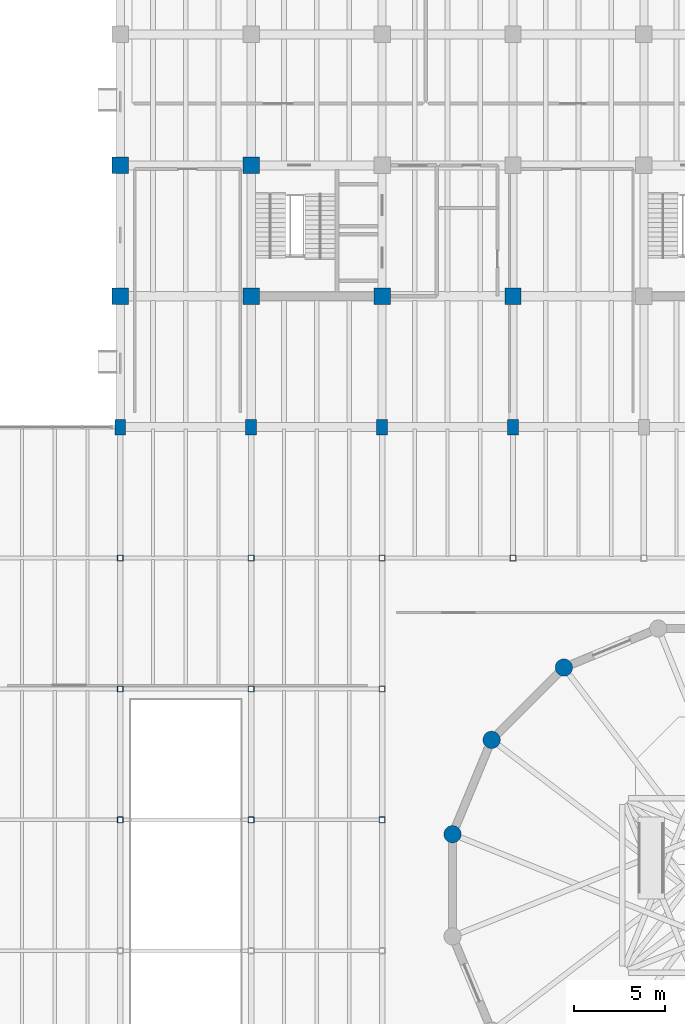
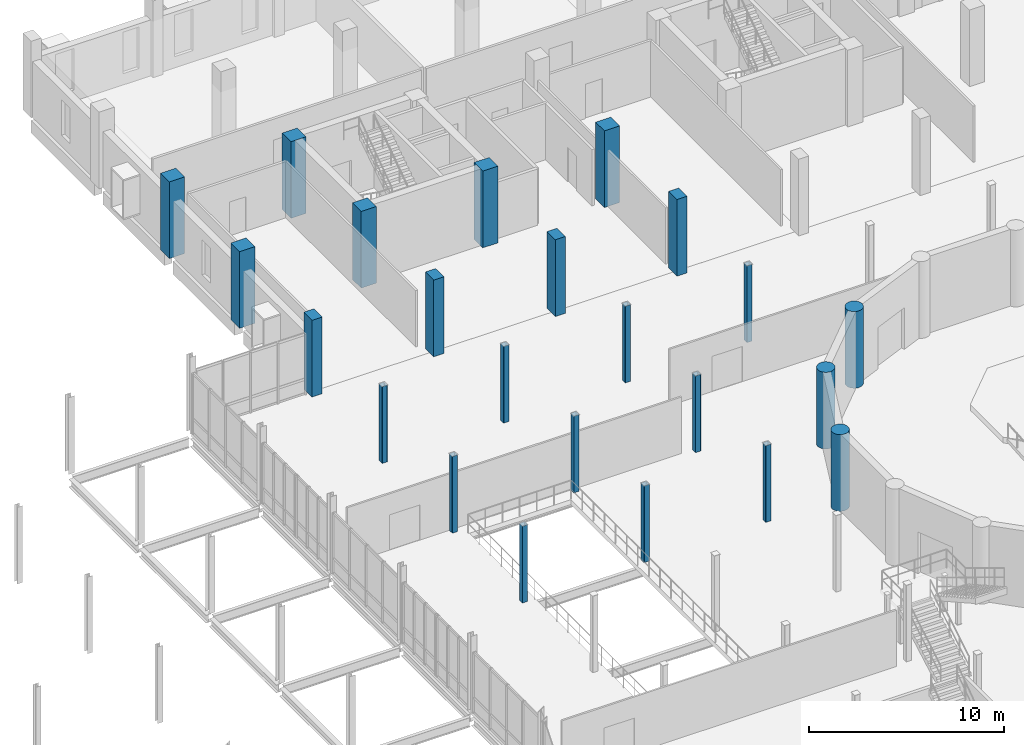
# One storey, part 11 of 77: 23 columns.
"""IFC4 building model written with IfcOpenShell, lengths in metres."""

from ifc_helpers import new_model, si_unit, direction, frame, origin, origin_2d, place, context, subcontext, project, spatial, rectangle, hollow_rectangle, circle, extrude, material, material_profile, profile_set, type_object, element, save


model = new_model("IFC4")

# Units and contexts
model_context = context("Model", 3, precision=1e-05, world=origin(), true_north=direction((0.0, 1.0)))
body_context = subcontext(model_context, "Body", "Model", "MODEL_VIEW")
ifc_project = project(units=[si_unit("LENGTHUNIT", "METRE"), si_unit("AREAUNIT", "SQUARE_METRE"), si_unit("VOLUMEUNIT", "CUBIC_METRE"), si_unit("PLANEANGLEUNIT", "RADIAN"), si_unit("MASSUNIT", "GRAM", prefix="KILO")], contexts=[model_context])

# Site, building, storey
site_placement = place(None, origin())
site = spatial("IfcSite", under=ifc_project, at=site_placement, CompositionType="ELEMENT")
building_placement = place(site_placement, origin())
building = spatial("IfcBuilding", under=site, at=building_placement, Name="Qiaolan Assembly House", CompositionType="ELEMENT")
storey_placement = place(building_placement, frame((0.0, 0.0, 5.39990234375)))
storey = spatial("IfcBuildingStorey", under=building, at=storey_placement, Name="L01", CompositionType="ELEMENT", Elevation=5.39990234375)

# Columns
ifc_material_1 = material(Name="Concrete C50/60", Category="concrete")
ifc_material_profile_1 = material_profile(ifc_material_1, circle(Radius=0.47509765625, at=origin_2d()), Name="CIRC D950")
ifc_profile_set_1 = profile_set([ifc_material_profile_1], Name="Concrete C50/60")
column_type_1 = type_object("IfcColumnType", Name="COL-DRUM-D950", PredefinedType="COLUMN", material=ifc_profile_set_1)
for number, where, z_axis, x_axis, name in (
    (1, (60.39990234375, 73.173095703125, 0.0), (0.0, 0.0, 1.0), (1.0, 0.0, 0.0), "DC-01 chamber drum pier 6 L01"),
    (2, (56.4267578125, 69.2001953125, 0.0), (0.0, 0.0, 1.0), (1.0, 0.0, 0.0), "DC-01 chamber drum pier 7 L01"),
    (3, (54.276611328125, 64.00927734375, 0.0), (0.0, 0.0, 1.0), (1.0, 0.0, 0.0), "DC-01 chamber drum pier 8 L01"),
):
    element("IfcColumn", number, at=place(storey_placement, frame(where, z_axis=z_axis, x_axis=x_axis)), inside=storey, type_object=column_type_1, Name=name, PredefinedType="COLUMN", context=body_context, shape_type="SweptSolid", body=[
        extrude(circle(Radius=0.47509765625, at=origin_2d()), origin(), (0.0, 0.0, 1.0), 4.800048828125),
    ])
ifc_material_profile_2 = material_profile(ifc_material_1, rectangle(XDim=0.60009765625, YDim=0.85009765625, at=origin_2d()), Name="RC 850x600")
ifc_profile_set_2 = profile_set([ifc_material_profile_2], Name="Concrete C50/60")
column_type_2 = type_object("IfcColumnType", Name="COL-RC-850x600", PredefinedType="COLUMN", material=ifc_profile_set_2)
for number, where, z_axis, x_axis, name in (
    (4, (36.0, 86.39990234375, 0.0), (0.0, 0.0, 1.0), (1.0, 0.0, 0.0), "RC-13 column NW L01"),
    (5, (43.199951171875, 86.39990234375, 0.0), (0.0, 0.0, 1.0), (1.0, 0.0, 0.0), "RC-13 column NW L01"),
    (6, (50.39990234375, 86.39990234375, 0.0), (0.0, 0.0, 1.0), (1.0, 0.0, 0.0), "RC-13 column NW L01"),
    (7, (57.60009765625, 86.39990234375, 0.0), (0.0, 0.0, 1.0), (1.0, 0.0, 0.0), "RC-13 column NW L01"),
):
    element("IfcColumn", number, at=place(storey_placement, frame(where, z_axis=z_axis, x_axis=x_axis)), inside=storey, type_object=column_type_2, Name=name, PredefinedType="COLUMN", context=body_context, shape_type="SweptSolid", body=[
        extrude(rectangle(XDim=0.60009765625, YDim=0.85009765625, at=origin_2d()), origin(), (0.0, 0.0, 1.0), 4.800048828125),
    ])
ifc_material_profile_3 = material_profile(ifc_material_1, rectangle(XDim=0.89990234375, YDim=0.89990234375, at=origin_2d()), Name="RC 900x900")
ifc_profile_set_3 = profile_set([ifc_material_profile_3], Name="Concrete C50/60")
column_type_3 = type_object("IfcColumnType", Name="COL-RC-900", PredefinedType="COLUMN", material=ifc_profile_set_3)
for number, where, z_axis, x_axis, name in (
    (8, (36.0, 93.60009765625, 0.0), (0.0, 0.0, 1.0), (1.0, 0.0, 0.0), "RC-03 column NW L01"),
    (9, (36.0, 100.800048828125, 0.0), (0.0, 0.0, 1.0), (1.0, 0.0, 0.0), "RC-03 column NW L01"),
    (10, (43.199951171875, 93.60009765625, 0.0), (0.0, 0.0, 1.0), (1.0, 0.0, 0.0), "RC-03 column NW L01"),
    (11, (43.199951171875, 100.800048828125, 0.0), (0.0, 0.0, 1.0), (1.0, 0.0, 0.0), "RC-03 column NW L01"),
    (12, (50.39990234375, 93.60009765625, 0.0), (0.0, 0.0, 1.0), (1.0, 0.0, 0.0), "RC-03 column NW L01"),
    (13, (57.60009765625, 93.60009765625, 0.0), (0.0, 0.0, 1.0), (1.0, 0.0, 0.0), "RC-03 column NW L01"),
):
    element("IfcColumn", number, at=place(storey_placement, frame(where, z_axis=z_axis, x_axis=x_axis)), inside=storey, type_object=column_type_3, Name=name, PredefinedType="COLUMN", context=body_context, shape_type="SweptSolid", body=[
        extrude(rectangle(XDim=0.89990234375, YDim=0.89990234375, at=origin_2d()), origin(), (0.0, 0.0, 1.0), 4.800048828125),
    ])
ifc_material_2 = material(Name="Steel Q355B", Category="steel")
ifc_material_profile_4 = material_profile(ifc_material_2, hollow_rectangle(XDim=0.320068359375, YDim=0.320068359375, WallThickness=0.011962890625, InnerFilletRadius=0.011962890625, OuterFilletRadius=0.02392578125, at=origin_2d()), Name="SHS 320x320x12")
ifc_profile_set_4 = profile_set([ifc_material_profile_4], Name="Steel Q355B")
column_type_4 = type_object("IfcColumnType", Name="COL-STL-SHS320", PredefinedType="COLUMN", material=ifc_profile_set_4)
for number, where, z_axis, x_axis, name in (
    (14, (36.0, 64.800048828125, 0.0), (0.0, 0.0, 1.0), (1.0, 0.0, 0.0), "SC-09 hall column L01"),
    (15, (36.0, 72.0, 0.0), (0.0, 0.0, 1.0), (1.0, 0.0, 0.0), "SC-09 hall column L01"),
    (16, (36.0, 79.199951171875, 0.0), (0.0, 0.0, 1.0), (1.0, 0.0, 0.0), "SC-09 hall column L01"),
    (17, (43.199951171875, 64.800048828125, 0.0), (0.0, 0.0, 1.0), (1.0, 0.0, 0.0), "SC-09 hall column L01"),
    (18, (43.199951171875, 72.0, 0.0), (0.0, 0.0, 1.0), (1.0, 0.0, 0.0), "SC-09 hall column L01"),
    (19, (43.199951171875, 79.199951171875, 0.0), (0.0, 0.0, 1.0), (1.0, 0.0, 0.0), "SC-09 hall column L01"),
    (20, (50.39990234375, 64.800048828125, 0.0), (0.0, 0.0, 1.0), (1.0, 0.0, 0.0), "SC-09 hall column L01"),
    (21, (50.39990234375, 72.0, 0.0), (0.0, 0.0, 1.0), (1.0, 0.0, 0.0), "SC-09 hall column L01"),
    (22, (50.39990234375, 79.199951171875, 0.0), (0.0, 0.0, 1.0), (1.0, 0.0, 0.0), "SC-09 hall column L01"),
    (23, (57.60009765625, 79.199951171875, 0.0), (0.0, 0.0, 1.0), (1.0, 0.0, 0.0), "SC-09 hall column L01"),
):
    element("IfcColumn", number, at=place(storey_placement, frame(where, z_axis=z_axis, x_axis=x_axis)), inside=storey, type_object=column_type_4, Name=name, PredefinedType="COLUMN", context=body_context, shape_type="SweptSolid", body=[
        extrude(hollow_rectangle(XDim=0.320068359375, YDim=0.320068359375, WallThickness=0.011962890625, InnerFilletRadius=0.011962890625, OuterFilletRadius=0.02392578125, at=origin_2d()), origin(), (0.0, 0.0, 1.0), 4.800048828125),
    ])

save(model, "model.ifc")
